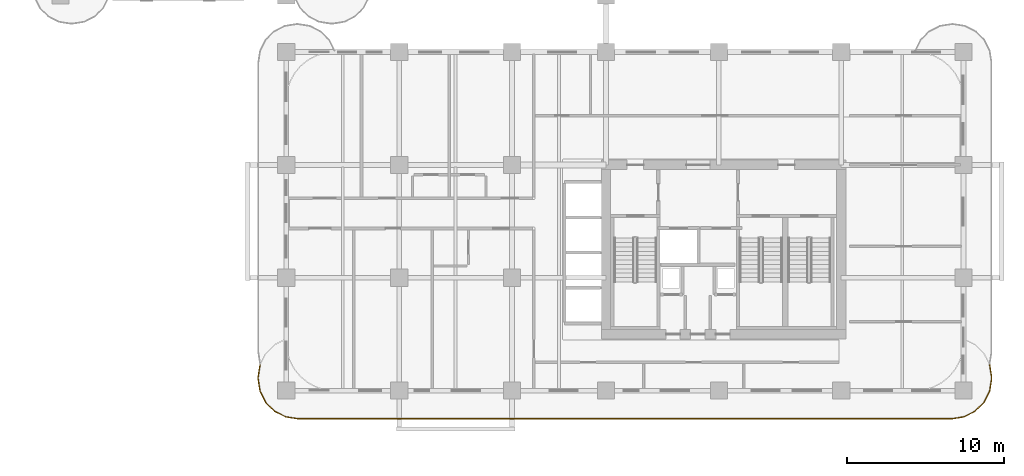
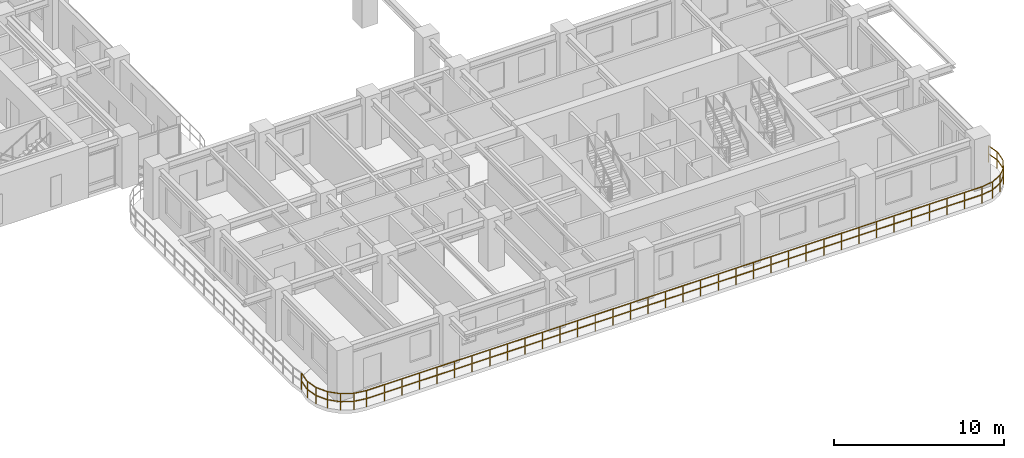
# One storey, part 13 of 18: 1 railing.
"""IFC4 building model written with IfcOpenShell, lengths in metres."""

import ifcopenshell
import ifcopenshell.guid

model = None  # the IFC model being written
_history = None  # IfcOwnerHistory: only IFC2X3 demands one
_inside = {}  # id of a spatial element -> (the spatial element, [elements in it])
_under = {}  # id of a project, library or spatial element -> (it, [spatial elements below it])
_declared = {}  # id of a project -> (the project, [libraries it declares])
_typed = {}  # id of a type object -> (the type object, [elements of that type])
_made_of = {}  # id of a material, layer set ... -> (it, [elements and type objects made of it])


def new_model(schema):
    """Start an empty IFC model of exactly this schema.

    Asked for "IFC4X3", IfcOpenShell would pick the latest addendum, in which some entities
    have other attributes; the version numbers below select the first issue.
    IFC2X3 requires an IfcOwnerHistory on every rooted entity: one is made here for all.
    """
    global model, _history
    if schema == "IFC4X3":
        model = ifcopenshell.file(schema_version=(4, 3, 0, 0))
    else:
        model = ifcopenshell.file(schema=schema)
    _inside.clear()
    _under.clear()
    _declared.clear()
    _typed.clear()
    _made_of.clear()
    _history = None
    if model.schema == "IFC2X3":
        org = make("IfcOrganization", Name="unknown")
        user = make(
            "IfcPersonAndOrganization",
            ThePerson=make("IfcPerson", FamilyName="unknown"),
            TheOrganization=org,
        )
        app = make(
            "IfcApplication",
            ApplicationDeveloper=org,
            Version="unknown",
            ApplicationFullName="unknown",
            ApplicationIdentifier="unknown",
        )
        _history = make(
            "IfcOwnerHistory",
            OwningUser=user,
            OwningApplication=app,
            ChangeAction="ADDED",
            CreationDate=0,
        )
    return model


def make(cls, **values):
    """One entity of the class cls with the attributes given. An attribute that is None is left unset."""
    return model.create_entity(
        cls, **{name: value for name, value in values.items() if value is not None}
    )


def rooted(cls, **values):
    """An entity with a GlobalId (a new one), such as an element, a storey or a relation."""
    return make(cls, GlobalId=ifcopenshell.guid.new(), OwnerHistory=_history, **values)


def si_unit(unit_type, name, prefix=None):
    """IfcSIUnit, for example si_unit("LENGTHUNIT", "METRE", prefix="MILLI")."""
    return make("IfcSIUnit", UnitType=unit_type, Prefix=prefix, Name=name)


def derived_unit(unit_type, elements):
    """IfcDerivedUnit: a product of units, each with its exponent."""
    return make(
        "IfcDerivedUnit",
        Elements=[
            make("IfcDerivedUnitElement", Unit=unit, Exponent=power)
            for unit, power in elements
        ],
        UnitType=unit_type,
    )


def assignment(units):
    """IfcUnitAssignment: the units of a project."""
    return None if units is None else make("IfcUnitAssignment", Units=units)


def point(xyz):
    """IfcCartesianPoint."""
    return None if xyz is None else make("IfcCartesianPoint", Coordinates=xyz)


def direction(xyz):
    """IfcDirection."""
    return None if xyz is None else make("IfcDirection", DirectionRatios=xyz)


def frame(location, z_axis=None, x_axis=None):
    """IfcAxis2Placement3D, a coordinate frame: its origin and axes. An axis left out is left unset."""
    return make(
        "IfcAxis2Placement3D",
        Location=point(location),
        Axis=direction(z_axis),
        RefDirection=direction(x_axis),
    )


def frame_2d(location, x_axis=None):
    """IfcAxis2Placement2D, a coordinate frame in the plane: its origin and x axis."""
    return make(
        "IfcAxis2Placement2D", Location=point(location), RefDirection=direction(x_axis)
    )


def origin():
    """The frame at (0, 0, 0) with its axes left unset."""
    return frame((0.0, 0.0, 0.0))


def origin_2d():
    """The frame at (0, 0) in the plane with its x axis left unset."""
    return frame_2d((0.0, 0.0))


def place(relative_to, where):
    """IfcLocalPlacement: puts the frame where relative to a parent placement (None: the world)."""
    return make(
        "IfcLocalPlacement", PlacementRelTo=relative_to, RelativePlacement=where
    )


def context(
    kind, dimensions, precision=None, world=None, true_north=None, identifier=None
):
    """IfcGeometricRepresentationContext, for example the 3D "Model" context."""
    return make(
        "IfcGeometricRepresentationContext",
        ContextIdentifier=identifier,
        ContextType=kind,
        CoordinateSpaceDimension=dimensions,
        Precision=precision,
        WorldCoordinateSystem=world,
        TrueNorth=true_north,
    )


def subcontext(parent, identifier, kind, view, scale=None):
    """IfcGeometricRepresentationSubContext, for example "Body" below "Model"."""
    return make(
        "IfcGeometricRepresentationSubContext",
        ContextIdentifier=identifier,
        ContextType=kind,
        ParentContext=parent,
        TargetScale=scale,
        TargetView=view,
    )


def project(units=None, contexts=None):
    """IfcProject with its units and contexts."""
    return rooted(
        "IfcProject",
        Name="project",
        RepresentationContexts=contexts,
        UnitsInContext=assignment(units),
    )


def spatial(cls, under=None, at=None, **own):
    """A site, building, storey or space (cls), placed at a placement, below another one or the project."""
    s = rooted(cls, ObjectPlacement=at, **own)
    if under is not None:
        _under.setdefault(under.id(), (under, []))[1].append(s)
    return s


def profile(cls, at=None, kind="AREA", **sizes):
    """A parametric profile (cls). Its sizes go by their IFC names, for example OverallWidth=200.0."""
    return make(cls, ProfileType=kind, Position=at, **sizes)


def rectangle(**sizes):
    """IfcRectangleProfileDef."""
    return profile("IfcRectangleProfileDef", **sizes)


def extrude(swept, where, along, depth):
    """IfcExtrudedAreaSolid: the profile swept, set in the frame where, extruded along a direction by depth."""
    return make(
        "IfcExtrudedAreaSolid",
        SweptArea=swept,
        Position=where,
        ExtrudedDirection=direction(along),
        Depth=depth,
    )


def shape(context_of_items, identifier, shape_type, items):
    """IfcShapeRepresentation: the items that make up one representation, for example the "Body"."""
    return make(
        "IfcShapeRepresentation",
        ContextOfItems=context_of_items,
        RepresentationIdentifier=identifier,
        RepresentationType=shape_type,
        Items=items,
    )


def material(Name=None, Category=None):
    """IfcMaterial."""
    return make("IfcMaterial", Name=Name, Category=Category)


def made_of(thing, what):
    """Note that an element or type object is made of a material, layer set ...; save() writes the relation."""
    if what is not None:
        _made_of.setdefault(what.id(), (what, []))[1].append(thing)
    return thing


def type_object(cls, material=None, **own):
    """A type object (cls), such as IfcWallType, which elements share."""
    return made_of(rooted(cls, **own), material)


def element(
    cls,
    number,
    at=None,
    inside=None,
    cuts=None,
    type_object=None,
    material=None,
    context=None,
    identifier="Body",
    shape_type=None,
    held_by="IfcProductDefinitionShape",
    body=None,
    shapes=None,
    **own,
):
    """One element of the class cls, such as IfcWall. Its Tag is "e" and its number.

    at: its placement. inside: the storey or other place that contains it. cuts: it is an
    opening in that element (IfcRelVoidsElement). A single representation is given by context,
    identifier, shape_type and body (its items); several are given by shapes. held_by: the class
    of the entity that holds the representations. save() writes the other relations.
    """
    e = rooted(cls, Tag="e%d" % number, ObjectPlacement=at, **own)
    if body is not None:
        shapes = [shape(context, identifier, shape_type, body)]
    if shapes is not None:
        e.Representation = make(held_by, Representations=shapes)
    if inside is not None:
        _inside.setdefault(inside.id(), (inside, []))[1].append(e)
    if cuts is not None:
        rooted(
            "IfcRelVoidsElement", RelatingBuildingElement=cuts, RelatedOpeningElement=e
        )
    if type_object is not None:
        _typed.setdefault(type_object.id(), (type_object, []))[1].append(e)
    return made_of(e, material)


def aggregate(whole, parts):
    """IfcRelAggregates: a whole, such as a stair, and the parts it consists of."""
    return rooted("IfcRelAggregates", RelatingObject=whole, RelatedObjects=parts)


def save(model, path):
    """Write the relations noted so far, then the file.

    IfcRelAggregates (storeys below a building ...), IfcRelContainedInSpatialStructure (elements
    in a storey), IfcRelDefinesByType, IfcRelAssociatesMaterial and IfcRelDeclares: one each for
    every whole, place, type object, material and project.
    """
    for whole, parts in _under.values():
        aggregate(whole, parts)
    for where, things in _inside.values():
        rooted(
            "IfcRelContainedInSpatialStructure",
            RelatedElements=things,
            RelatingStructure=where,
        )
    for kind, things in _typed.values():
        rooted("IfcRelDefinesByType", RelatedObjects=things, RelatingType=kind)
    for what, things in _made_of.values():
        rooted("IfcRelAssociatesMaterial", RelatedObjects=things, RelatingMaterial=what)
    for by, libraries in _declared.values():
        rooted("IfcRelDeclares", RelatingContext=by, RelatedDefinitions=libraries)
    model.write(path)


model = new_model("IFC4")

# Units and contexts
model_context = context("Model", 3, precision=1e-05, world=origin(), true_north=direction((0.0, 1.0)))
body_context = subcontext(model_context, "Body", "Model", "MODEL_VIEW")
ifc_project = project(units=[si_unit("LENGTHUNIT", "METRE"), si_unit("AREAUNIT", "SQUARE_METRE"), si_unit("VOLUMEUNIT", "CUBIC_METRE"), si_unit("PLANEANGLEUNIT", "RADIAN"), si_unit("MASSUNIT", "GRAM", prefix="KILO"), si_unit("THERMODYNAMICTEMPERATUREUNIT", "KELVIN"), si_unit("POWERUNIT", "WATT"), derived_unit("THERMALTRANSMITTANCEUNIT", [(si_unit("POWERUNIT", "WATT"), 1), (si_unit("AREAUNIT", "SQUARE_METRE"), -1), (si_unit("THERMODYNAMICTEMPERATUREUNIT", "KELVIN"), -1)])], contexts=[model_context])

# Site, building, storey
site_placement = place(None, origin())
site = spatial("IfcSite", under=ifc_project, at=site_placement, CompositionType="ELEMENT")
building_placement = place(site_placement, origin())
building = spatial("IfcBuilding", under=site, at=building_placement, Name="Zahravan Archway Hotel and Residences", CompositionType="ELEMENT")
storey_placement = place(building_placement, frame((0.0, 0.0, 50.89990234375)))
storey = spatial("IfcBuildingStorey", under=building, at=storey_placement, Name="L11", CompositionType="ELEMENT", Elevation=50.89990234375)

# Railing
ifc_material = material(Name="Bronze & Laminated Glass Balustrade", Category="glass")
railing_type = type_object("IfcRailingType", Name="RL-BAL-1200", PredefinedType="BALUSTRADE", material=ifc_material)
railing_placement = place(storey_placement, frame((59.275146484375, 1.637939453125, 0.0)))
element("IfcRailing", 1, at=railing_placement, inside=storey, type_object=railing_type, Name="L11 Balustrade RL-SLB-BAL-L11-SA-1", PredefinedType="BALUSTRADE", context=body_context, shape_type="SweptSolid", body=[
    extrude(rectangle(XDim=0.048095703125, YDim=0.048095703125, at=origin_2d()), frame((0.0, 0.0, 1.17578125), z_axis=(0.156402639467, -0.987693380745, 0.0), x_axis=(0.987693380745, 0.156402639467, 0.0)), (0.0, 0.0, 1.0), 0.797607421875),
    extrude(rectangle(XDim=0.048095703125, YDim=0.048095703125, at=origin_2d()), frame((0.0, 0.0, 0.60009765625), z_axis=(0.156402639467, -0.987693380745, 0.0), x_axis=(0.987693380745, 0.156402639467, 0.0)), (0.0, 0.0, 1.0), 0.797607421875),
    extrude(rectangle(XDim=0.048095703125, YDim=0.048095703125, at=origin_2d()), frame((0.124755859375, -0.787841796875, 1.17578125), z_axis=(0.0, -1.0, 0.0), x_axis=(1.0, 0.0, 0.0)), (0.0, 0.0, 1.0), 0.10009765625),
    extrude(rectangle(XDim=0.048095703125, YDim=0.048095703125, at=origin_2d()), frame((0.124755859375, -0.787841796875, 0.60009765625), z_axis=(0.0, -1.0, 0.0), x_axis=(1.0, 0.0, 0.0)), (0.0, 0.0, 1.0), 0.10009765625),
    extrude(rectangle(XDim=0.048095703125, YDim=0.048095703125, at=origin_2d()), frame((0.124755859375, -0.887939453125, 1.17578125), z_axis=(-0.156355372278, -0.987700864412, 0.0), x_axis=(0.987700864412, -0.156355372278, 0.0)), (0.0, 0.0, 1.0), 0.7978515625),
    extrude(rectangle(XDim=0.048095703125, YDim=0.048095703125, at=origin_2d()), frame((0.124755859375, -0.887939453125, 0.60009765625), z_axis=(-0.156355372278, -0.987700864412, 0.0), x_axis=(0.987700864412, -0.156355372278, 0.0)), (0.0, 0.0, 1.0), 0.7978515625),
    extrude(rectangle(XDim=0.048095703125, YDim=0.048095703125, at=origin_2d()), frame((0.0, -1.676025390625, 1.17578125), z_axis=(-0.453934952053, -0.891034824967, 0.0), x_axis=(0.891034824967, -0.453934952053, 0.0)), (0.0, 0.0, 1.0), 0.797607421875),
    extrude(rectangle(XDim=0.048095703125, YDim=0.048095703125, at=origin_2d()), frame((0.0, -1.676025390625, 0.60009765625), z_axis=(-0.453934952053, -0.891034824967, 0.0), x_axis=(0.891034824967, -0.453934952053, 0.0)), (0.0, 0.0, 1.0), 0.797607421875),
    extrude(rectangle(XDim=0.048095703125, YDim=0.048095703125, at=origin_2d()), frame((-0.362060546875, -2.38671875, 1.17578125), z_axis=(-0.707106781187, -0.707106781187, 0.0), x_axis=(0.707106781187, -0.707106781187, 0.0)), (0.0, 0.0, 1.0), 0.7978515625),
    extrude(rectangle(XDim=0.048095703125, YDim=0.048095703125, at=origin_2d()), frame((-0.362060546875, -2.38671875, 0.60009765625), z_axis=(-0.707106781187, -0.707106781187, 0.0), x_axis=(0.707106781187, -0.707106781187, 0.0)), (0.0, 0.0, 1.0), 0.7978515625),
    extrude(rectangle(XDim=0.048095703125, YDim=0.048095703125, at=origin_2d()), frame((-0.92626953125, -2.950927734375, 1.17578125), z_axis=(-0.890974108706, -0.454054113091, 0.0), x_axis=(0.454054113091, -0.890974108706, 0.0)), (0.0, 0.0, 1.0), 0.7978515625),
    extrude(rectangle(XDim=0.048095703125, YDim=0.048095703125, at=origin_2d()), frame((-0.92626953125, -2.950927734375, 0.60009765625), z_axis=(-0.890974108706, -0.454054113091, 0.0), x_axis=(0.454054113091, -0.890974108706, 0.0)), (0.0, 0.0, 1.0), 0.7978515625),
    extrude(rectangle(XDim=0.048095703125, YDim=0.048095703125, at=origin_2d()), frame((-1.63720703125, -3.313232421875, 1.17578125), z_axis=(-0.987693380745, -0.156402639467, 0.0), x_axis=(0.156402639467, -0.987693380745, 0.0)), (0.0, 0.0, 1.0), 0.797607421875),
    extrude(rectangle(XDim=0.048095703125, YDim=0.048095703125, at=origin_2d()), frame((-1.63720703125, -3.313232421875, 0.60009765625), z_axis=(-0.987693380745, -0.156402639467, 0.0), x_axis=(0.156402639467, -0.987693380745, 0.0)), (0.0, 0.0, 1.0), 0.797607421875),
    extrude(rectangle(XDim=0.048095703125, YDim=0.048095703125, at=origin_2d()), frame((-2.425048828125, -3.43798828125, 1.17578125), z_axis=(-1.0, 0.0, 0.0), x_axis=(0.0, -1.0, 0.0)), (0.0, 0.0, 1.0), 41.7001953125),
    extrude(rectangle(XDim=0.048095703125, YDim=0.048095703125, at=origin_2d()), frame((-2.425048828125, -3.43798828125, 0.60009765625), z_axis=(-1.0, 0.0, 0.0), x_axis=(0.0, -1.0, 0.0)), (0.0, 0.0, 1.0), 41.7001953125),
    extrude(rectangle(XDim=0.048095703125, YDim=0.048095703125, at=origin_2d()), frame((-44.125244140625, -3.43798828125, 1.17578125), z_axis=(-0.987693380745, 0.156402639467, 0.0), x_axis=(-0.156402639467, -0.987693380745, 0.0)), (0.0, 0.0, 1.0), 0.797607421875),
    extrude(rectangle(XDim=0.048095703125, YDim=0.048095703125, at=origin_2d()), frame((-44.125244140625, -3.43798828125, 0.60009765625), z_axis=(-0.987693380745, 0.156402639467, 0.0), x_axis=(-0.156402639467, -0.987693380745, 0.0)), (0.0, 0.0, 1.0), 0.797607421875),
    extrude(rectangle(XDim=0.048095703125, YDim=0.048095703125, at=origin_2d()), frame((-44.9130859375, -3.313232421875, 1.17578125), z_axis=(-0.890974108706, 0.454054113091, 0.0), x_axis=(-0.454054113091, -0.890974108706, 0.0)), (0.0, 0.0, 1.0), 0.7978515625),
    extrude(rectangle(XDim=0.048095703125, YDim=0.048095703125, at=origin_2d()), frame((-44.9130859375, -3.313232421875, 0.60009765625), z_axis=(-0.890974108706, 0.454054113091, 0.0), x_axis=(-0.454054113091, -0.890974108706, 0.0)), (0.0, 0.0, 1.0), 0.7978515625),
    extrude(rectangle(XDim=0.048095703125, YDim=0.048095703125, at=origin_2d()), frame((-45.6240234375, -2.950927734375, 1.17578125), z_axis=(-0.707106781187, 0.707106781187, 0.0), x_axis=(-0.707106781187, -0.707106781187, 0.0)), (0.0, 0.0, 1.0), 0.7978515625),
    extrude(rectangle(XDim=0.048095703125, YDim=0.048095703125, at=origin_2d()), frame((-45.6240234375, -2.950927734375, 0.60009765625), z_axis=(-0.707106781187, 0.707106781187, 0.0), x_axis=(-0.707106781187, -0.707106781187, 0.0)), (0.0, 0.0, 1.0), 0.7978515625),
    extrude(rectangle(XDim=0.048095703125, YDim=0.048095703125, at=origin_2d()), frame((-46.188232421875, -2.38671875, 1.17578125), z_axis=(-0.453934952053, 0.891034824967, 0.0), x_axis=(-0.891034824967, -0.453934952053, 0.0)), (0.0, 0.0, 1.0), 0.797607421875),
    extrude(rectangle(XDim=0.048095703125, YDim=0.048095703125, at=origin_2d()), frame((-46.188232421875, -2.38671875, 0.60009765625), z_axis=(-0.453934952053, 0.891034824967, 0.0), x_axis=(-0.891034824967, -0.453934952053, 0.0)), (0.0, 0.0, 1.0), 0.797607421875),
    extrude(rectangle(XDim=0.048095703125, YDim=0.048095703125, at=origin_2d()), frame((-46.55029296875, -1.676025390625, 1.17578125), z_axis=(-0.156355372278, 0.987700864412, 0.0), x_axis=(-0.987700864412, -0.156355372278, 0.0)), (0.0, 0.0, 1.0), 0.7978515625),
    extrude(rectangle(XDim=0.048095703125, YDim=0.048095703125, at=origin_2d()), frame((-46.55029296875, -1.676025390625, 0.60009765625), z_axis=(-0.156355372278, 0.987700864412, 0.0), x_axis=(-0.987700864412, -0.156355372278, 0.0)), (0.0, 0.0, 1.0), 0.7978515625),
    extrude(rectangle(XDim=0.048095703125, YDim=0.048095703125, at=origin_2d()), frame((-46.675048828125, -0.887939453125, 1.17578125), z_axis=(0.0, 1.0, 0.0), x_axis=(-1.0, 0.0, 0.0)), (0.0, 0.0, 1.0), 0.10009765625),
    extrude(rectangle(XDim=0.048095703125, YDim=0.048095703125, at=origin_2d()), frame((-46.675048828125, -0.887939453125, 0.60009765625), z_axis=(0.0, 1.0, 0.0), x_axis=(-1.0, 0.0, 0.0)), (0.0, 0.0, 1.0), 0.10009765625),
    extrude(rectangle(XDim=0.048095703125, YDim=0.048095703125, at=origin_2d()), frame((-46.675048828125, -0.787841796875, 1.17578125), z_axis=(0.156402639467, 0.987693380745, 0.0), x_axis=(-0.987693380745, 0.156402639467, 0.0)), (0.0, 0.0, 1.0), 0.797607421875),
    extrude(rectangle(XDim=0.048095703125, YDim=0.048095703125, at=origin_2d()), frame((-46.675048828125, -0.787841796875, 0.60009765625), z_axis=(0.156402639467, 0.987693380745, 0.0), x_axis=(-0.987693380745, 0.156402639467, 0.0)), (0.0, 0.0, 1.0), 0.797607421875),
    extrude(rectangle(XDim=0.0419921875, YDim=0.0419921875, at=origin_2d()), origin(), (0.0, 0.0, 1.0), 1.15185546875),
    extrude(rectangle(XDim=0.0419921875, YDim=0.0419921875, at=origin_2d()), frame((0.124755859375, -0.787841796875, 0.0)), (0.0, 0.0, 1.0), 1.15185546875),
    extrude(rectangle(XDim=0.0419921875, YDim=0.0419921875, at=origin_2d()), frame((0.0, -1.676025390625, 0.0)), (0.0, 0.0, 1.0), 1.15185546875),
    extrude(rectangle(XDim=0.0419921875, YDim=0.0419921875, at=origin_2d()), frame((-0.362060546875, -2.38671875, 0.0)), (0.0, 0.0, 1.0), 1.15185546875),
    extrude(rectangle(XDim=0.0419921875, YDim=0.0419921875, at=origin_2d()), frame((-0.92626953125, -2.950927734375, 0.0)), (0.0, 0.0, 1.0), 1.15185546875),
    extrude(rectangle(XDim=0.0419921875, YDim=0.0419921875, at=origin_2d()), frame((-1.63720703125, -3.313232421875, 0.0)), (0.0, 0.0, 1.0), 1.15185546875),
    extrude(rectangle(XDim=0.0419921875, YDim=0.0419921875, at=origin_2d()), frame((-2.425048828125, -3.43798828125, 0.0)), (0.0, 0.0, 1.0), 1.15185546875),
    extrude(rectangle(XDim=0.0419921875, YDim=0.0419921875, at=origin_2d()), frame((-3.616455078125, -3.43798828125, 0.0)), (0.0, 0.0, 1.0), 1.15185546875),
    extrude(rectangle(XDim=0.0419921875, YDim=0.0419921875, at=origin_2d()), frame((-4.807861328125, -3.43798828125, 0.0)), (0.0, 0.0, 1.0), 1.15185546875),
    extrude(rectangle(XDim=0.0419921875, YDim=0.0419921875, at=origin_2d()), frame((-5.999267578125, -3.43798828125, 0.0)), (0.0, 0.0, 1.0), 1.15185546875),
    extrude(rectangle(XDim=0.0419921875, YDim=0.0419921875, at=origin_2d()), frame((-7.190673828125, -3.43798828125, 0.0)), (0.0, 0.0, 1.0), 1.15185546875),
    extrude(rectangle(XDim=0.0419921875, YDim=0.0419921875, at=origin_2d()), frame((-8.38232421875, -3.43798828125, 0.0)), (0.0, 0.0, 1.0), 1.15185546875),
    extrude(rectangle(XDim=0.0419921875, YDim=0.0419921875, at=origin_2d()), frame((-9.57373046875, -3.43798828125, 0.0)), (0.0, 0.0, 1.0), 1.15185546875),
    extrude(rectangle(XDim=0.0419921875, YDim=0.0419921875, at=origin_2d()), frame((-10.76513671875, -3.43798828125, 0.0)), (0.0, 0.0, 1.0), 1.15185546875),
    extrude(rectangle(XDim=0.0419921875, YDim=0.0419921875, at=origin_2d()), frame((-11.95654296875, -3.43798828125, 0.0)), (0.0, 0.0, 1.0), 1.15185546875),
    extrude(rectangle(XDim=0.0419921875, YDim=0.0419921875, at=origin_2d()), frame((-13.14794921875, -3.43798828125, 0.0)), (0.0, 0.0, 1.0), 1.15185546875),
    extrude(rectangle(XDim=0.0419921875, YDim=0.0419921875, at=origin_2d()), frame((-14.33935546875, -3.43798828125, 0.0)), (0.0, 0.0, 1.0), 1.15185546875),
    extrude(rectangle(XDim=0.0419921875, YDim=0.0419921875, at=origin_2d()), frame((-15.53076171875, -3.43798828125, 0.0)), (0.0, 0.0, 1.0), 1.15185546875),
    extrude(rectangle(XDim=0.0419921875, YDim=0.0419921875, at=origin_2d()), frame((-16.72216796875, -3.43798828125, 0.0)), (0.0, 0.0, 1.0), 1.15185546875),
    extrude(rectangle(XDim=0.0419921875, YDim=0.0419921875, at=origin_2d()), frame((-17.91357421875, -3.43798828125, 0.0)), (0.0, 0.0, 1.0), 1.15185546875),
    extrude(rectangle(XDim=0.0419921875, YDim=0.0419921875, at=origin_2d()), frame((-19.105224609375, -3.43798828125, 0.0)), (0.0, 0.0, 1.0), 1.15185546875),
    extrude(rectangle(XDim=0.0419921875, YDim=0.0419921875, at=origin_2d()), frame((-20.296630859375, -3.43798828125, 0.0)), (0.0, 0.0, 1.0), 1.15185546875),
    extrude(rectangle(XDim=0.0419921875, YDim=0.0419921875, at=origin_2d()), frame((-21.488037109375, -3.43798828125, 0.0)), (0.0, 0.0, 1.0), 1.15185546875),
    extrude(rectangle(XDim=0.0419921875, YDim=0.0419921875, at=origin_2d()), frame((-22.679443359375, -3.43798828125, 0.0)), (0.0, 0.0, 1.0), 1.15185546875),
    extrude(rectangle(XDim=0.0419921875, YDim=0.0419921875, at=origin_2d()), frame((-23.870849609375, -3.43798828125, 0.0)), (0.0, 0.0, 1.0), 1.15185546875),
    extrude(rectangle(XDim=0.0419921875, YDim=0.0419921875, at=origin_2d()), frame((-25.062255859375, -3.43798828125, 0.0)), (0.0, 0.0, 1.0), 1.15185546875),
    extrude(rectangle(XDim=0.0419921875, YDim=0.0419921875, at=origin_2d()), frame((-26.253662109375, -3.43798828125, 0.0)), (0.0, 0.0, 1.0), 1.15185546875),
    extrude(rectangle(XDim=0.0419921875, YDim=0.0419921875, at=origin_2d()), frame((-27.445068359375, -3.43798828125, 0.0)), (0.0, 0.0, 1.0), 1.15185546875),
    extrude(rectangle(XDim=0.0419921875, YDim=0.0419921875, at=origin_2d()), frame((-28.63671875, -3.43798828125, 0.0)), (0.0, 0.0, 1.0), 1.15185546875),
    extrude(rectangle(XDim=0.0419921875, YDim=0.0419921875, at=origin_2d()), frame((-29.828125, -3.43798828125, 0.0)), (0.0, 0.0, 1.0), 1.15185546875),
    extrude(rectangle(XDim=0.0419921875, YDim=0.0419921875, at=origin_2d()), frame((-31.01953125, -3.43798828125, 0.0)), (0.0, 0.0, 1.0), 1.15185546875),
    extrude(rectangle(XDim=0.0419921875, YDim=0.0419921875, at=origin_2d()), frame((-32.2109375, -3.43798828125, 0.0)), (0.0, 0.0, 1.0), 1.15185546875),
    extrude(rectangle(XDim=0.0419921875, YDim=0.0419921875, at=origin_2d()), frame((-33.40234375, -3.43798828125, 0.0)), (0.0, 0.0, 1.0), 1.15185546875),
    extrude(rectangle(XDim=0.0419921875, YDim=0.0419921875, at=origin_2d()), frame((-34.59375, -3.43798828125, 0.0)), (0.0, 0.0, 1.0), 1.15185546875),
    extrude(rectangle(XDim=0.0419921875, YDim=0.0419921875, at=origin_2d()), frame((-35.78515625, -3.43798828125, 0.0)), (0.0, 0.0, 1.0), 1.15185546875),
    extrude(rectangle(XDim=0.0419921875, YDim=0.0419921875, at=origin_2d()), frame((-36.9765625, -3.43798828125, 0.0)), (0.0, 0.0, 1.0), 1.15185546875),
    extrude(rectangle(XDim=0.0419921875, YDim=0.0419921875, at=origin_2d()), frame((-38.16796875, -3.43798828125, 0.0)), (0.0, 0.0, 1.0), 1.15185546875),
    extrude(rectangle(XDim=0.0419921875, YDim=0.0419921875, at=origin_2d()), frame((-39.359619140625, -3.43798828125, 0.0)), (0.0, 0.0, 1.0), 1.15185546875),
    extrude(rectangle(XDim=0.0419921875, YDim=0.0419921875, at=origin_2d()), frame((-40.551025390625, -3.43798828125, 0.0)), (0.0, 0.0, 1.0), 1.15185546875),
    extrude(rectangle(XDim=0.0419921875, YDim=0.0419921875, at=origin_2d()), frame((-41.742431640625, -3.43798828125, 0.0)), (0.0, 0.0, 1.0), 1.15185546875),
    extrude(rectangle(XDim=0.0419921875, YDim=0.0419921875, at=origin_2d()), frame((-42.933837890625, -3.43798828125, 0.0)), (0.0, 0.0, 1.0), 1.15185546875),
    extrude(rectangle(XDim=0.0419921875, YDim=0.0419921875, at=origin_2d()), frame((-44.125244140625, -3.43798828125, 0.0)), (0.0, 0.0, 1.0), 1.15185546875),
    extrude(rectangle(XDim=0.0419921875, YDim=0.0419921875, at=origin_2d()), frame((-44.9130859375, -3.313232421875, 0.0)), (0.0, 0.0, 1.0), 1.15185546875),
    extrude(rectangle(XDim=0.0419921875, YDim=0.0419921875, at=origin_2d()), frame((-45.6240234375, -2.950927734375, 0.0)), (0.0, 0.0, 1.0), 1.15185546875),
    extrude(rectangle(XDim=0.0419921875, YDim=0.0419921875, at=origin_2d()), frame((-46.188232421875, -2.38671875, 0.0)), (0.0, 0.0, 1.0), 1.15185546875),
    extrude(rectangle(XDim=0.0419921875, YDim=0.0419921875, at=origin_2d()), frame((-46.55029296875, -1.676025390625, 0.0)), (0.0, 0.0, 1.0), 1.15185546875),
    extrude(rectangle(XDim=0.0419921875, YDim=0.0419921875, at=origin_2d()), frame((-46.675048828125, -0.887939453125, 0.0)), (0.0, 0.0, 1.0), 1.15185546875),
    extrude(rectangle(XDim=0.0419921875, YDim=0.0419921875, at=origin_2d()), frame((-46.55029296875, 0.0, 0.0)), (0.0, 0.0, 1.0), 1.15185546875),
])

save(model, "model.ifc")
